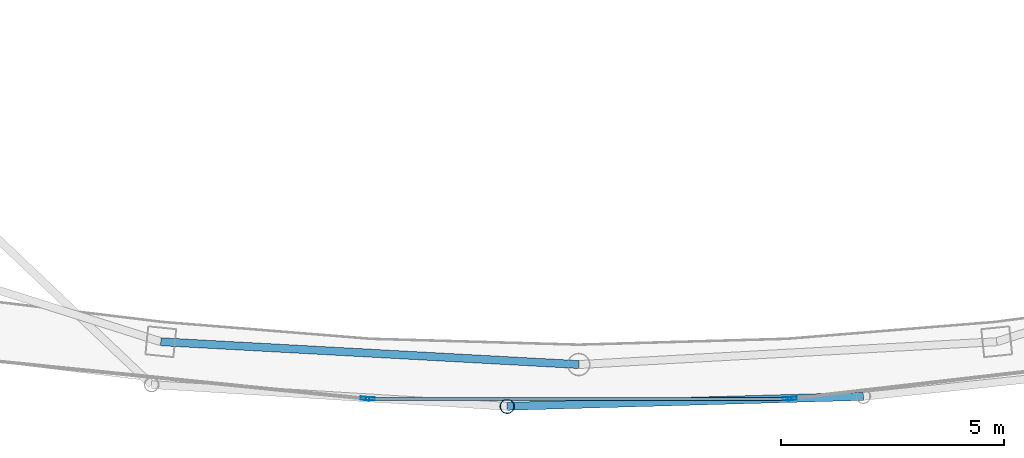
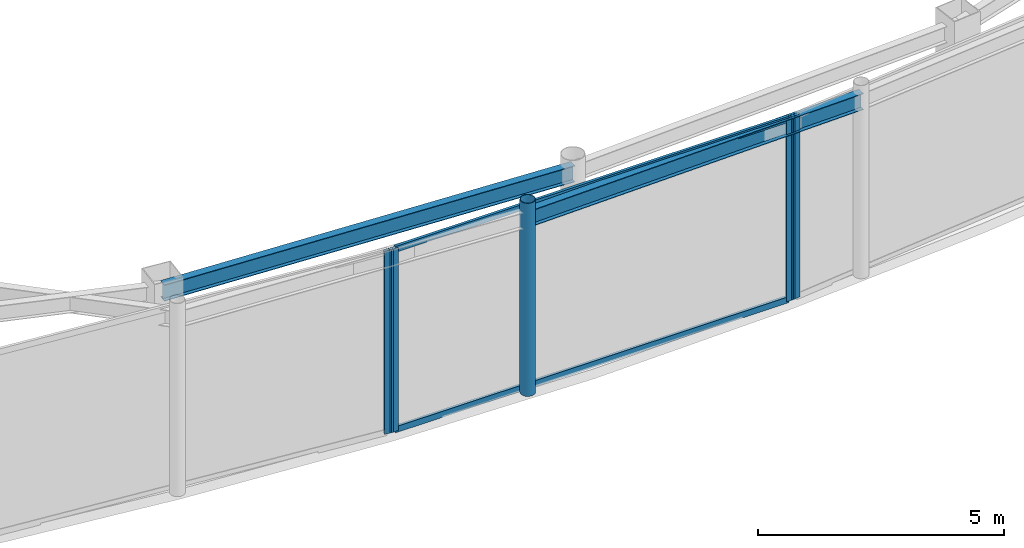
# One storey, part 6 of 19: 7 members, 2 beams, 3 elements without a shape of their own.
"""IFC4 building model written with IfcOpenShell, lengths in metres."""

from ifc_helpers import new_model, si_unit, direction, frame, origin, origin_2d, place, context, subcontext, project, spatial, hollow_rectangle, hollow_circle, i_section, extrude, material, layer, layer_set, material_profile, profile_set, type_object, element, aggregate, save


model = new_model("IFC4")

# Units and contexts
model_context = context("Model", 3, precision=1e-05, world=origin(), true_north=direction((0.0, 1.0)))
body_context = subcontext(model_context, "Body", "Model", "MODEL_VIEW")
ifc_project = project(units=[si_unit("LENGTHUNIT", "METRE"), si_unit("AREAUNIT", "SQUARE_METRE"), si_unit("VOLUMEUNIT", "CUBIC_METRE"), si_unit("PLANEANGLEUNIT", "RADIAN"), si_unit("MASSUNIT", "GRAM", prefix="KILO")], contexts=[model_context])

# Site, building, storey
site_placement = place(None, origin())
site = spatial("IfcSite", under=ifc_project, at=site_placement, CompositionType="ELEMENT")
building_placement = place(site_placement, origin())
building = spatial("IfcBuilding", under=site, at=building_placement, Name="Orvanel Arch Residences", CompositionType="ELEMENT")
storey_placement = place(building_placement, frame((0.0, 0.0, 286.10009765625)))
storey = spatial("IfcBuildingStorey", under=building, at=storey_placement, Name="L81", CompositionType="ELEMENT", Elevation=286.10009765625)

# Curtain wall, member
ifc_material_1 = material(Name="Bronze-anodised aluminium AA6063-T6", Category="aluminium")
ifc_layer = layer(ifc_material_1, 0.2099609375)
ifc_layer_set = layer_set([ifc_layer], Name="Bronze-anodised aluminium AA6063-T6")
curtain_wall_type = type_object("IfcCurtainWallType", Name="CW7-TOP-SYS", PredefinedType="NOTDEFINED", material=ifc_layer_set)
curtain_wall_1_placement = place(storey_placement, origin())
curtain_wall_1 = element("IfcCurtainWall", 1, at=curtain_wall_1_placement, inside=storey, type_object=curtain_wall_type, Name="L81 CW7-TOP-SYS Unitised Curtain Wall", PredefinedType="NOTDEFINED")
ifc_material_profile_1 = material_profile(ifc_material_1, hollow_rectangle(XDim=0.074951171875, YDim=0.199951171875, WallThickness=0.0048828125, at=origin_2d()), Name="ALU200x75x5")
ifc_profile_set_1 = profile_set([ifc_material_profile_1], Name="Bronze-anodised aluminium AA6063-T6")
member_type_1 = type_object("IfcMemberType", Name="MUL-200x75", PredefinedType="MULLION", material=ifc_profile_set_1)
member_1_placement = place(storey_placement, frame((28.2216796875, 6.083740234375, 0.0), z_axis=(0.0, 0.0, 1.0), x_axis=(0.10054103466, 0.994932912487, 0.0)))
member_1 = element("IfcMember", 2, at=member_1_placement, type_object=member_type_1, Name="CW-S7 mullion 2", PredefinedType="MULLION", context=body_context, shape_type="SweptSolid", body=[
    extrude(hollow_rectangle(XDim=0.074951171875, YDim=0.199951171875, WallThickness=0.0048828125, at=origin_2d()), origin(), (0.0, 0.0, 1.0), 4.5498046875),
])
aggregate(curtain_wall_1, [member_1])

# Curtain wall, members
curtain_wall_2_placement = place(storey_placement, origin())
curtain_wall_2 = element("IfcCurtainWall", 3, at=curtain_wall_2_placement, inside=storey, type_object=curtain_wall_type, Name="L81 CW7-TOP-SYS Unitised Curtain Wall", PredefinedType="NOTDEFINED")
member_2_placement = place(storey_placement, frame((28.33642578125, 6.077880859375, 0.0), z_axis=(0.0, 0.0, 1.0), x_axis=(0.0, 1.0, 0.0)))
member_2 = element("IfcMember", 4, at=member_2_placement, type_object=member_type_1, Name="CW-S7 mullion 1", PredefinedType="MULLION", context=body_context, shape_type="SweptSolid", body=[
    extrude(hollow_rectangle(XDim=0.074951171875, YDim=0.199951171875, WallThickness=0.0048828125, at=origin_2d()), origin(), (0.0, 0.0, 1.0), 4.5498046875),
])
member_3_placement = place(storey_placement, frame((37.66357421875, 6.077880859375, 0.0), z_axis=(0.0, 0.0, 1.0), x_axis=(0.0, 1.0, 0.0)))
member_3 = element("IfcMember", 5, at=member_3_placement, type_object=member_type_1, Name="CW-S7 mullion 2", PredefinedType="MULLION", context=body_context, shape_type="SweptSolid", body=[
    extrude(hollow_rectangle(XDim=0.074951171875, YDim=0.199951171875, WallThickness=0.0048828125, at=origin_2d()), origin(), (0.0, 0.0, 1.0), 4.5498046875),
])

# Curtain wall, member
curtain_wall_3_placement = place(storey_placement, origin())
curtain_wall_3 = element("IfcCurtainWall", 6, at=curtain_wall_3_placement, inside=storey, type_object=curtain_wall_type, Name="L81 CW7-TOP-SYS Unitised Curtain Wall", PredefinedType="NOTDEFINED")
member_4_placement = place(storey_placement, frame((37.7783203125, 6.084228515625, 0.0), z_axis=(0.0, 0.0, 1.0), x_axis=(-0.11424494002, 0.9934526127, 0.0)))
member_4 = element("IfcMember", 7, at=member_4_placement, type_object=member_type_1, Name="CW-S7 mullion 1", PredefinedType="MULLION", context=body_context, shape_type="SweptSolid", body=[
    extrude(hollow_rectangle(XDim=0.074951171875, YDim=0.199951171875, WallThickness=0.0048828125, at=origin_2d()), origin(), (0.0, 0.0, 1.0), 4.5498046875),
])
aggregate(curtain_wall_3, [member_4])

# Beams
ifc_material_2 = material(Name="Structural steel AS/NZS 3679.1 Grade 300 (300 MPa)", Category="steel")
ifc_material_profile_2 = material_profile(ifc_material_2, i_section(OverallWidth=0.177978515625, OverallDepth=0.406005859375, WebThickness=0.0078125, FlangeThickness=0.0126953125, at=origin_2d()), Name="410UB59.7")
ifc_profile_set_2 = profile_set([ifc_material_profile_2], Name="Structural steel AS/NZS 3679.1 Grade 300 (300 MPa)")
beam_type_1 = type_object("IfcBeamType", Name="OB-410UB", PredefinedType="SPANDREL", material=ifc_profile_set_2)
beam_1_placement = place(storey_placement, frame((23.64892578125, 7.35498046875, 4.346923828125), z_axis=(0.998510315598, -0.054563262768, 0.0), x_axis=(0.054563262768, 0.998510315598, 0.0)))
element("IfcBeam", 8, at=beam_1_placement, inside=storey, type_object=beam_type_1, Name="L81 Perimeter Spandrel Beam 03", PredefinedType="SPANDREL", context=body_context, shape_type="SweptSolid", body=[
    extrude(i_section(OverallWidth=0.177978515625, OverallDepth=0.406005859375, WebThickness=0.0078125, FlangeThickness=0.0126953125, at=origin_2d()), origin(), (0.0, 0.0, 1.0), 9.364990234375),
])
ifc_material_profile_3 = material_profile(ifc_material_2, i_section(OverallWidth=0.177978515625, OverallDepth=0.406005859375, WebThickness=0.0078125, FlangeThickness=0.0126953125, at=origin_2d()), Name="410UB59.7")
ifc_profile_set_3 = profile_set([ifc_material_profile_3], Name="Structural steel AS/NZS 3679.1 Grade 300 (300 MPa)")
beam_type_2 = type_object("IfcBeamType", Name="OB-410UB-EXT", PredefinedType="SPANDREL", material=ifc_profile_set_3)
beam_2_placement = place(storey_placement, frame((31.39892578125, 5.908935546875, 4.346923828125), z_axis=(0.999611510585, 0.027871632645, 0.0), x_axis=(-0.027871632645, 0.999611510585, 0.0)))
element("IfcBeam", 9, at=beam_2_placement, inside=storey, type_object=beam_type_2, Name="L81 Outer Perimeter Floor Ring Beam 06", PredefinedType="SPANDREL", context=body_context, shape_type="SweptSolid", body=[
    extrude(i_section(OverallWidth=0.177978515625, OverallDepth=0.406005859375, WebThickness=0.0078125, FlangeThickness=0.0126953125, at=origin_2d()), origin(), (0.0, 0.0, 1.0), 7.97119140625),
])

# Member
ifc_material_3 = material(Name="Structural steel AS/NZS 1163 C350L0 (Grade 350)", Category="steel")
ifc_material_profile_4 = material_profile(ifc_material_3, hollow_circle(Radius=0.162109375, WallThickness=0.0126953125, at=origin_2d()), Name="CHS324x12.7")
ifc_profile_set_4 = profile_set([ifc_material_profile_4], Name="Structural steel AS/NZS 1163 C350L0 (Grade 350)")
member_type_2 = type_object("IfcMemberType", Name="ST-324CHS-EXT", PredefinedType="STRUT", material=ifc_profile_set_4)
member_5_placement = place(storey_placement, frame((31.39892578125, 5.908935546875, 0.0), z_axis=(0.0, 0.0, 1.0), x_axis=(1.0, 0.0, 0.0)))
element("IfcMember", 10, at=member_5_placement, inside=storey, type_object=member_type_2, Name="L81 Outer Perimeter Frame Post 06", PredefinedType="STRUT", context=body_context, shape_type="SweptSolid", body=[
    extrude(hollow_circle(Radius=0.162109375, WallThickness=0.0126953125, at=origin_2d()), origin(), (0.0, 0.0, 1.0), 4.7998046875),
])

ifc_material_profile_5 = material_profile(ifc_material_1, hollow_rectangle(XDim=0.06494140625, YDim=0.14990234375, WallThickness=0.00390625, at=origin_2d()), Name="ALU150x65x4")
ifc_profile_set_5 = profile_set([ifc_material_profile_5], Name="Bronze-anodised aluminium AA6063-T6")
member_type_3 = type_object("IfcMemberType", Name="TRN-150x65", PredefinedType="USERDEFINED", material=ifc_profile_set_5)
member_6_placement = place(storey_placement, frame((28.3740234375, 6.077880859375, 0.032470703125), z_axis=(1.0, 0.0, 0.0), x_axis=(0.0, 1.0, 0.0)))
member_6 = element("IfcMember", 11, at=member_6_placement, type_object=member_type_3, Name="CW-S7 transom 1.1", ObjectType="TRANSOM", PredefinedType="USERDEFINED", context=body_context, shape_type="SweptSolid", body=[
    extrude(hollow_rectangle(XDim=0.06494140625, YDim=0.14990234375, WallThickness=0.00390625, at=origin_2d()), origin(), (0.0, 0.0, 1.0), 9.251953125),
])

member_7_placement = place(storey_placement, frame((28.3740234375, 6.077880859375, 4.517333984375), z_axis=(1.0, 0.0, 0.0), x_axis=(0.0, 1.0, 0.0)))
member_7 = element("IfcMember", 12, at=member_7_placement, type_object=member_type_3, Name="CW-S7 transom 1.2", ObjectType="TRANSOM", PredefinedType="USERDEFINED", context=body_context, shape_type="SweptSolid", body=[
    extrude(hollow_rectangle(XDim=0.06494140625, YDim=0.14990234375, WallThickness=0.00390625, at=origin_2d()), origin(), (0.0, 0.0, 1.0), 9.251953125),
])

aggregate(curtain_wall_2, [member_2, member_3, member_6, member_7])

save(model, "model.ifc")
